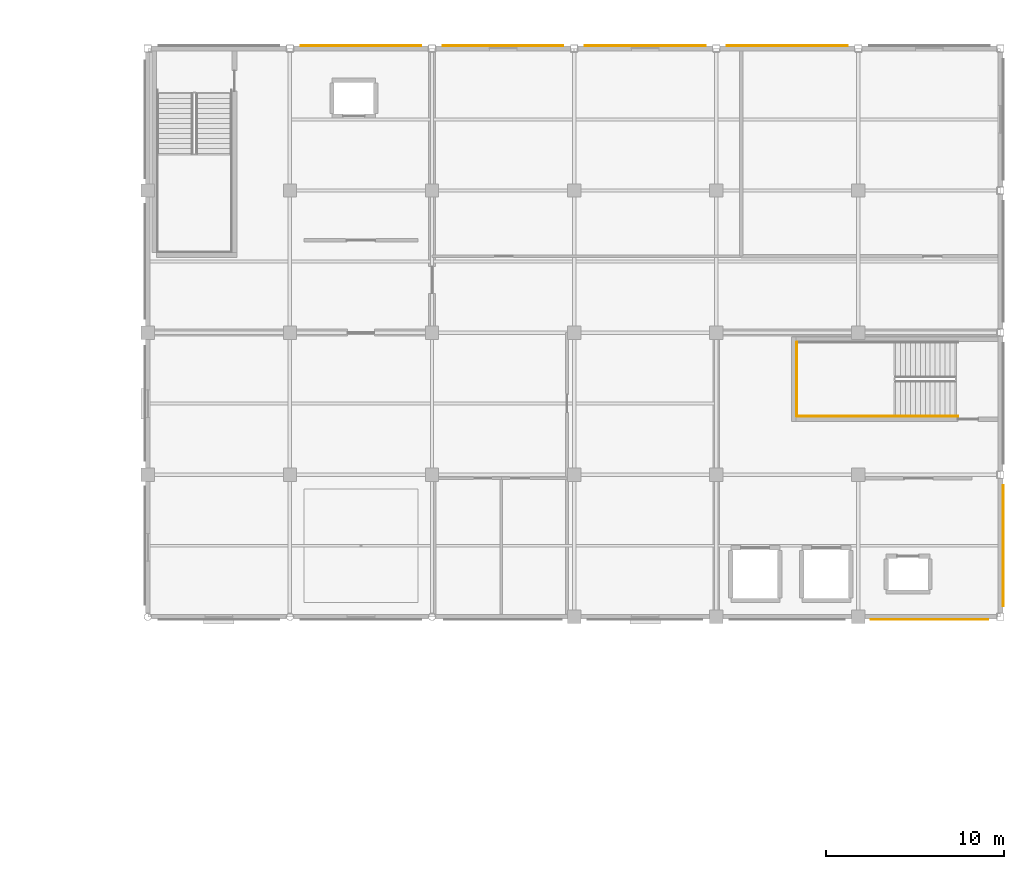
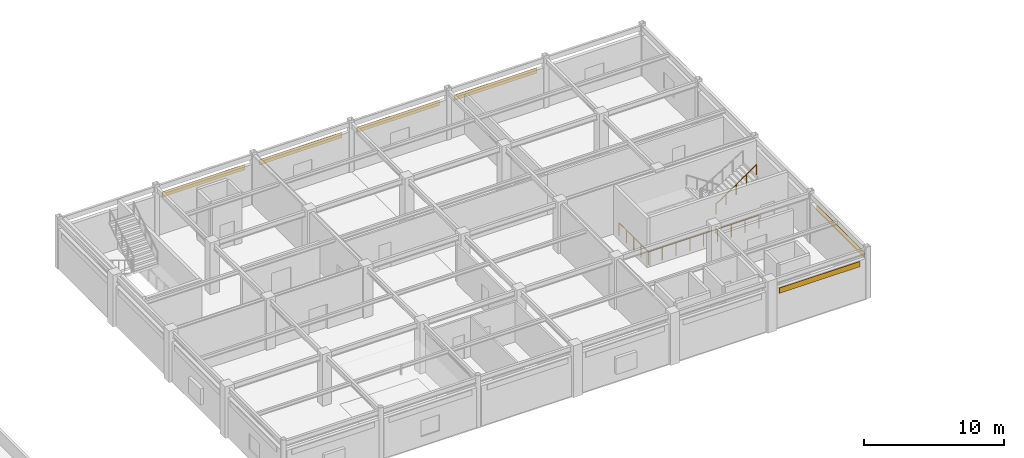
# One storey, part 41 of 42: 6 coverings, 3 railings.
"""IFC4 building model written with IfcOpenShell, lengths in metres."""

from ifc_helpers import new_model, si_unit, direction, frame, origin, origin_2d, place, context, subcontext, project, spatial, rectangle, circle, extrude, material, layer, layer_set, type_object, element, save


model = new_model("IFC4")

# Units and contexts
model_context = context("Model", 3, precision=1e-05, world=origin(), true_north=direction((0.0, 1.0)))
body_context = subcontext(model_context, "Body", "Model", "MODEL_VIEW")
ifc_project = project(units=[si_unit("LENGTHUNIT", "METRE"), si_unit("AREAUNIT", "SQUARE_METRE"), si_unit("VOLUMEUNIT", "CUBIC_METRE"), si_unit("PLANEANGLEUNIT", "RADIAN"), si_unit("MASSUNIT", "GRAM", prefix="KILO")], contexts=[model_context])

# Site, building, storey
site_placement = place(None, origin())
site = spatial("IfcSite", under=ifc_project, at=site_placement, CompositionType="ELEMENT")
building_placement = place(site_placement, origin())
building = spatial("IfcBuilding", under=site, at=building_placement, Name="Solmirada Galleria", CompositionType="ELEMENT")
storey_placement = place(building_placement, frame((0.0, 0.0, 28.39990234375)))
storey = spatial("IfcBuildingStorey", under=building, at=storey_placement, Name="L06", CompositionType="ELEMENT", Elevation=28.39990234375)

# Coverings
ifc_material_1 = material(Name="Limestone cladding panels", Category="masonry")
ifc_layer_1 = layer(ifc_material_1, 0.044921875)
ifc_layer_set_1 = layer_set([ifc_layer_1], Name="Limestone cladding panels")
covering_type_1 = type_object("IfcCoveringType", Name="COV-CLAD-LIME", PredefinedType="CLADDING", material=ifc_layer_set_1)
covering_1_placement = place(storey_placement, frame((164.0, 120.157470703125, 2.990234375), z_axis=(0.0, 0.0, 1.0), x_axis=(1.0, 0.0, 0.0)))
element("IfcCovering", 1, at=covering_1_placement, inside=storey, type_object=covering_type_1, Name="Postmodern facade cladding L06-393", PredefinedType="CLADDING", context=body_context, shape_type="SweptSolid", body=[
    extrude(rectangle(XDim=6.7939453125, YDim=0.044921875, at=origin_2d()), origin(), (0.0, 0.0, 1.0), 0.4599609375),
])
covering_2_placement = place(storey_placement, frame((172.0, 87.842529296875, 2.990234375), z_axis=(0.0, 0.0, 1.0), x_axis=(-1.0, 0.0, 0.0)))
element("IfcCovering", 2, at=covering_2_placement, inside=storey, type_object=covering_type_1, Name="Postmodern facade cladding L06-399", PredefinedType="CLADDING", context=body_context, shape_type="SweptSolid", body=[
    extrude(rectangle(XDim=6.6220703125, YDim=0.044921875, at=origin_2d()), origin(), (0.0, 0.0, 1.0), 0.4599609375),
])
covering_3_placement = place(storey_placement, frame((148.0, 120.157470703125, 2.990234375), z_axis=(0.0, 0.0, 1.0), x_axis=(1.0, 0.0, 0.0)))
element("IfcCovering", 3, at=covering_3_placement, inside=storey, type_object=covering_type_1, Name="Postmodern facade cladding L06-411", PredefinedType="CLADDING", context=body_context, shape_type="SweptSolid", body=[
    extrude(rectangle(XDim=6.7939453125, YDim=0.044921875, at=origin_2d()), origin(), (0.0, 0.0, 1.0), 0.4599609375),
])
ifc_material_2 = material(Name="Glazed terracotta facade panels", Category="masonry")
ifc_layer_2 = layer(ifc_material_2, 0.0400390625)
ifc_layer_set_2 = layer_set([ifc_layer_2], Name="Glazed terracotta facade panels")
covering_type_2 = type_object("IfcCoveringType", Name="COV-CLAD-TERRA", PredefinedType="CLADDING", material=ifc_layer_set_2)
for number, where, z_axis, x_axis, name in (
    (4, (156.0, 120.155029296875, 2.990234375), (0.0, 0.0, 1.0), (1.0, 0.0, 0.0), "Postmodern facade cladding L06-392"),
    (5, (176.155029296875, 92.0, 2.990234375), (0.0, 0.0, 1.0), (0.0, -1.0, 0.0), "Postmodern facade cladding L06-398"),
    (6, (140.0, 120.155029296875, 2.990234375), (0.0, 0.0, 1.0), (1.0, 0.0, 0.0), "Postmodern facade cladding L06-410"),
):
    element("IfcCovering", number, at=place(storey_placement, frame(where, z_axis=z_axis, x_axis=x_axis)), inside=storey, type_object=covering_type_2, Name=name, PredefinedType="CLADDING", context=body_context, shape_type="SweptSolid", body=[
        extrude(rectangle(XDim=6.7939453125, YDim=0.0400390625, at=origin_2d()), origin(), (0.0, 0.0, 1.0), 0.4599609375),
    ])

# Railings
ifc_material_3 = material(Name="Painted steel tubular railing", Category="steel")
railing_type_1 = type_object("IfcRailingType", Name="RAIL-STAIR-GUARD", PredefinedType="GUARDRAIL", material=ifc_material_3)
railing_1_placement = place(storey_placement, frame((173.6201171875, 99.2900390625, 0.0)))
element("IfcRailing", 7, at=railing_1_placement, inside=storey, type_object=railing_type_1, Name="Stair ST4 well edge guard L06-1", PredefinedType="GUARDRAIL", context=body_context, shape_type="SweptSolid", body=[
    extrude(circle(Radius=0.02392578125, at=origin_2d()), frame((0.0, 0.0, 1.09619140625), z_axis=(-1.0, 0.0, 0.0), x_axis=(0.0, -1.0, 0.0)), (0.0, 0.0, 1.0), 9.080078125),
    extrude(circle(Radius=0.02099609375, at=origin_2d()), origin(), (0.0, 0.0, 1.0), 1.068115234375),
    extrude(circle(Radius=0.02099609375, at=origin_2d()), frame((-1.135009765625, 0.0, 0.0)), (0.0, 0.0, 1.0), 1.068115234375),
    extrude(circle(Radius=0.02099609375, at=origin_2d()), frame((-2.27001953125, 0.0, 0.0)), (0.0, 0.0, 1.0), 1.068115234375),
    extrude(circle(Radius=0.02099609375, at=origin_2d()), frame((-3.405029296875, 0.0, 0.0)), (0.0, 0.0, 1.0), 1.068115234375),
    extrude(circle(Radius=0.02099609375, at=origin_2d()), frame((-4.5400390625, 0.0, 0.0)), (0.0, 0.0, 1.0), 1.068115234375),
    extrude(circle(Radius=0.02099609375, at=origin_2d()), frame((-5.675048828125, 0.0, 0.0)), (0.0, 0.0, 1.0), 1.068115234375),
    extrude(circle(Radius=0.02099609375, at=origin_2d()), frame((-6.81005859375, 0.0, 0.0)), (0.0, 0.0, 1.0), 1.068115234375),
    extrude(circle(Radius=0.02099609375, at=origin_2d()), frame((-7.945068359375, 0.0, 0.0)), (0.0, 0.0, 1.0), 1.068115234375),
    extrude(circle(Radius=0.02099609375, at=origin_2d()), frame((-9.080078125, 0.0, 0.0)), (0.0, 0.0, 1.0), 1.068115234375),
])
railing_2_placement = place(storey_placement, frame((164.5400390625, 99.2900390625, 0.0)))
element("IfcRailing", 8, at=railing_2_placement, inside=storey, type_object=railing_type_1, Name="Stair ST4 well edge guard L06-2", PredefinedType="GUARDRAIL", context=body_context, shape_type="SweptSolid", body=[
    extrude(circle(Radius=0.02392578125, at=origin_2d()), frame((0.0, 0.0, 1.09619140625), z_axis=(0.0, 1.0, 0.0), x_axis=(-1.0, 0.0, 0.0)), (0.0, 0.0, 1.0), 4.169921875),
    extrude(circle(Radius=0.02099609375, at=origin_2d()), origin(), (0.0, 0.0, 1.0), 1.068115234375),
    extrude(circle(Radius=0.02099609375, at=origin_2d()), frame((0.0, 1.04248046875, 0.0)), (0.0, 0.0, 1.0), 1.068115234375),
    extrude(circle(Radius=0.02099609375, at=origin_2d()), frame((0.0, 2.0849609375, 0.0)), (0.0, 0.0, 1.0), 1.068115234375),
    extrude(circle(Radius=0.02099609375, at=origin_2d()), frame((0.0, 3.12744140625, 0.0)), (0.0, 0.0, 1.0), 1.068115234375),
    extrude(circle(Radius=0.02099609375, at=origin_2d()), frame((0.0, 4.169921875, 0.0)), (0.0, 0.0, 1.0), 1.068115234375),
])
railing_type_2 = type_object("IfcRailingType", Name="RAIL-STAIR-HAND", PredefinedType="HANDRAIL", material=ifc_material_3)
railing_3_placement = place(storey_placement, frame((170.090087890625, 99.300048828125, 2.423095703125)))
element("IfcRailing", 9, at=railing_3_placement, inside=storey, type_object=railing_type_2, Name="L06 ST4 stair handrail 2", PredefinedType="HANDRAIL", context=body_context, shape_type="SweptSolid", body=[
    extrude(circle(Radius=0.02392578125, at=origin_2d()), frame((0.0, 0.0, 0.8759765625), z_axis=(0.830896709279, 0.0, 0.556426687452), x_axis=(0.0, 1.0, 0.0)), (0.0, 0.0, 1.0), 4.043701171875),
    extrude(circle(Radius=0.02099609375, at=origin_2d()), origin(), (0.0, 0.0, 1.0), 0.847900390625),
    extrude(circle(Radius=0.02099609375, at=origin_2d()), frame((0.83984375, 0.0, 0.5625)), (0.0, 0.0, 1.0), 0.847900390625),
    extrude(circle(Radius=0.02099609375, at=origin_2d()), frame((1.679931640625, 0.0, 1.125)), (0.0, 0.0, 1.0), 0.847900390625),
    extrude(circle(Radius=0.02099609375, at=origin_2d()), frame((2.52001953125, 0.0, 1.6875)), (0.0, 0.0, 1.0), 0.847900390625),
    extrude(circle(Radius=0.02099609375, at=origin_2d()), frame((3.35986328125, 0.0, 2.25)), (0.0, 0.0, 1.0), 0.847900390625),
])

save(model, "model.ifc")
